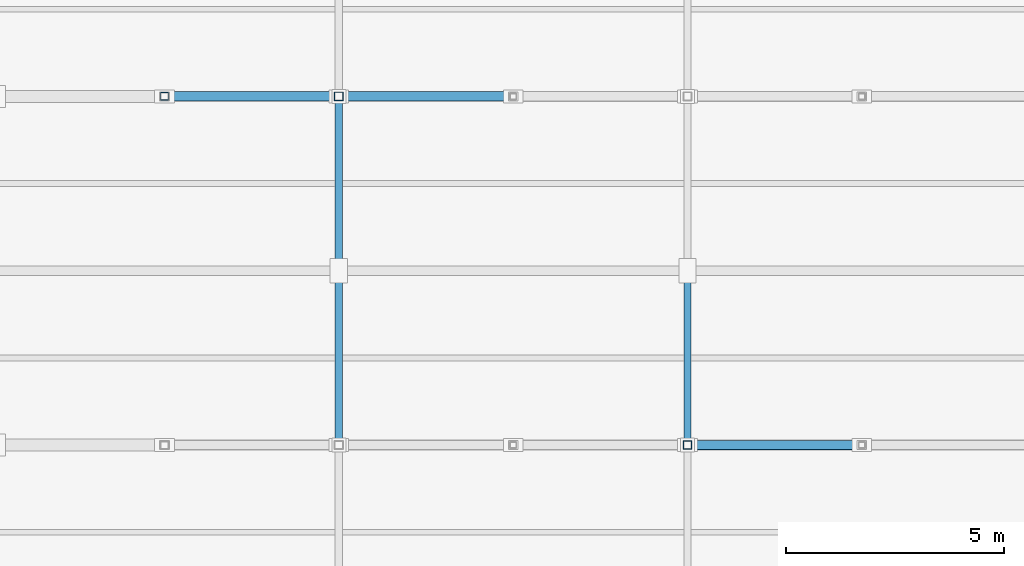
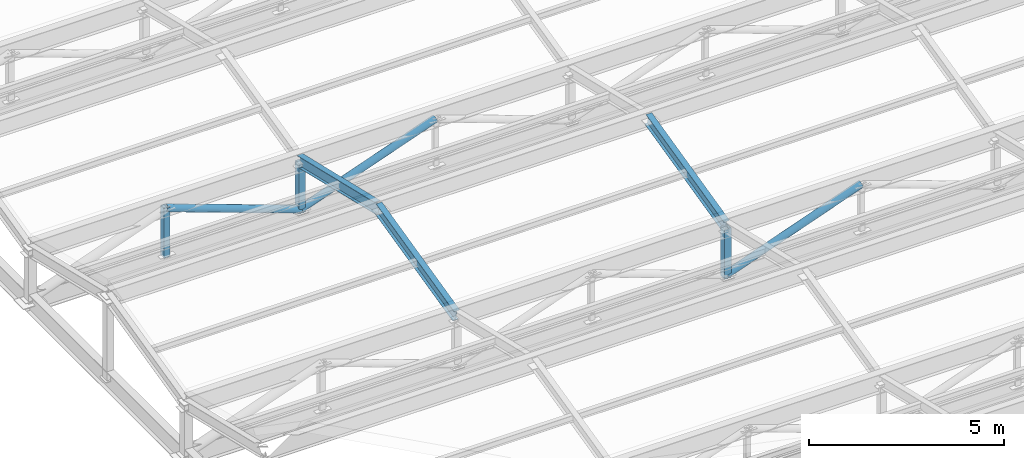
# One storey, part 50 of 112: 9 members.
"""IFC4 building model written with IfcOpenShell, lengths in metres."""

import ifcopenshell
import ifcopenshell.guid

model = None  # the IFC model being written
_history = None  # IfcOwnerHistory: only IFC2X3 demands one
_inside = {}  # id of a spatial element -> (the spatial element, [elements in it])
_under = {}  # id of a project, library or spatial element -> (it, [spatial elements below it])
_declared = {}  # id of a project -> (the project, [libraries it declares])
_typed = {}  # id of a type object -> (the type object, [elements of that type])
_made_of = {}  # id of a material, layer set ... -> (it, [elements and type objects made of it])


def new_model(schema):
    """Start an empty IFC model of exactly this schema.

    Asked for "IFC4X3", IfcOpenShell would pick the latest addendum, in which some entities
    have other attributes; the version numbers below select the first issue.
    IFC2X3 requires an IfcOwnerHistory on every rooted entity: one is made here for all.
    """
    global model, _history
    if schema == "IFC4X3":
        model = ifcopenshell.file(schema_version=(4, 3, 0, 0))
    else:
        model = ifcopenshell.file(schema=schema)
    _inside.clear()
    _under.clear()
    _declared.clear()
    _typed.clear()
    _made_of.clear()
    _history = None
    if model.schema == "IFC2X3":
        org = make("IfcOrganization", Name="unknown")
        user = make(
            "IfcPersonAndOrganization",
            ThePerson=make("IfcPerson", FamilyName="unknown"),
            TheOrganization=org,
        )
        app = make(
            "IfcApplication",
            ApplicationDeveloper=org,
            Version="unknown",
            ApplicationFullName="unknown",
            ApplicationIdentifier="unknown",
        )
        _history = make(
            "IfcOwnerHistory",
            OwningUser=user,
            OwningApplication=app,
            ChangeAction="ADDED",
            CreationDate=0,
        )
    return model


def make(cls, **values):
    """One entity of the class cls with the attributes given. An attribute that is None is left unset."""
    return model.create_entity(
        cls, **{name: value for name, value in values.items() if value is not None}
    )


def rooted(cls, **values):
    """An entity with a GlobalId (a new one), such as an element, a storey or a relation."""
    return make(cls, GlobalId=ifcopenshell.guid.new(), OwnerHistory=_history, **values)


def si_unit(unit_type, name, prefix=None):
    """IfcSIUnit, for example si_unit("LENGTHUNIT", "METRE", prefix="MILLI")."""
    return make("IfcSIUnit", UnitType=unit_type, Prefix=prefix, Name=name)


def assignment(units):
    """IfcUnitAssignment: the units of a project."""
    return None if units is None else make("IfcUnitAssignment", Units=units)


def point(xyz):
    """IfcCartesianPoint."""
    return None if xyz is None else make("IfcCartesianPoint", Coordinates=xyz)


def direction(xyz):
    """IfcDirection."""
    return None if xyz is None else make("IfcDirection", DirectionRatios=xyz)


def frame(location, z_axis=None, x_axis=None):
    """IfcAxis2Placement3D, a coordinate frame: its origin and axes. An axis left out is left unset."""
    return make(
        "IfcAxis2Placement3D",
        Location=point(location),
        Axis=direction(z_axis),
        RefDirection=direction(x_axis),
    )


def frame_2d(location, x_axis=None):
    """IfcAxis2Placement2D, a coordinate frame in the plane: its origin and x axis."""
    return make(
        "IfcAxis2Placement2D", Location=point(location), RefDirection=direction(x_axis)
    )


def origin():
    """The frame at (0, 0, 0) with its axes left unset."""
    return frame((0.0, 0.0, 0.0))


def origin_2d():
    """The frame at (0, 0) in the plane with its x axis left unset."""
    return frame_2d((0.0, 0.0))


def place(relative_to, where):
    """IfcLocalPlacement: puts the frame where relative to a parent placement (None: the world)."""
    return make(
        "IfcLocalPlacement", PlacementRelTo=relative_to, RelativePlacement=where
    )


def context(
    kind, dimensions, precision=None, world=None, true_north=None, identifier=None
):
    """IfcGeometricRepresentationContext, for example the 3D "Model" context."""
    return make(
        "IfcGeometricRepresentationContext",
        ContextIdentifier=identifier,
        ContextType=kind,
        CoordinateSpaceDimension=dimensions,
        Precision=precision,
        WorldCoordinateSystem=world,
        TrueNorth=true_north,
    )


def subcontext(parent, identifier, kind, view, scale=None):
    """IfcGeometricRepresentationSubContext, for example "Body" below "Model"."""
    return make(
        "IfcGeometricRepresentationSubContext",
        ContextIdentifier=identifier,
        ContextType=kind,
        ParentContext=parent,
        TargetScale=scale,
        TargetView=view,
    )


def project(units=None, contexts=None):
    """IfcProject with its units and contexts."""
    return rooted(
        "IfcProject",
        Name="project",
        RepresentationContexts=contexts,
        UnitsInContext=assignment(units),
    )


def spatial(cls, under=None, at=None, **own):
    """A site, building, storey or space (cls), placed at a placement, below another one or the project."""
    s = rooted(cls, ObjectPlacement=at, **own)
    if under is not None:
        _under.setdefault(under.id(), (under, []))[1].append(s)
    return s


def profile(cls, at=None, kind="AREA", **sizes):
    """A parametric profile (cls). Its sizes go by their IFC names, for example OverallWidth=200.0."""
    return make(cls, ProfileType=kind, Position=at, **sizes)


def hollow_rectangle(**sizes):
    """IfcRectangleHollowProfileDef."""
    return profile("IfcRectangleHollowProfileDef", **sizes)


def hollow_circle(**sizes):
    """IfcCircleHollowProfileDef."""
    return profile("IfcCircleHollowProfileDef", **sizes)


def i_section(**sizes):
    """IfcIShapeProfileDef."""
    return profile("IfcIShapeProfileDef", **sizes)


def extrude(swept, where, along, depth):
    """IfcExtrudedAreaSolid: the profile swept, set in the frame where, extruded along a direction by depth."""
    return make(
        "IfcExtrudedAreaSolid",
        SweptArea=swept,
        Position=where,
        ExtrudedDirection=direction(along),
        Depth=depth,
    )


def shape(context_of_items, identifier, shape_type, items):
    """IfcShapeRepresentation: the items that make up one representation, for example the "Body"."""
    return make(
        "IfcShapeRepresentation",
        ContextOfItems=context_of_items,
        RepresentationIdentifier=identifier,
        RepresentationType=shape_type,
        Items=items,
    )


def material(Name=None, Category=None):
    """IfcMaterial."""
    return make("IfcMaterial", Name=Name, Category=Category)


def material_profile(
    of_material, cross_section, Name=None, Category=None, Priority=None
):
    """IfcMaterialProfile: a cross section and its material."""
    return make(
        "IfcMaterialProfile",
        Name=Name,
        Material=of_material,
        Profile=cross_section,
        Priority=Priority,
        Category=Category,
    )


def profile_set(profiles, Name=None, composite=None):
    """IfcMaterialProfileSet."""
    return make(
        "IfcMaterialProfileSet",
        Name=Name,
        MaterialProfiles=profiles,
        CompositeProfile=composite,
    )


def made_of(thing, what):
    """Note that an element or type object is made of a material, layer set ...; save() writes the relation."""
    if what is not None:
        _made_of.setdefault(what.id(), (what, []))[1].append(thing)
    return thing


def type_object(cls, material=None, **own):
    """A type object (cls), such as IfcWallType, which elements share."""
    return made_of(rooted(cls, **own), material)


def element(
    cls,
    number,
    at=None,
    inside=None,
    cuts=None,
    type_object=None,
    material=None,
    context=None,
    identifier="Body",
    shape_type=None,
    held_by="IfcProductDefinitionShape",
    body=None,
    shapes=None,
    **own,
):
    """One element of the class cls, such as IfcWall. Its Tag is "e" and its number.

    at: its placement. inside: the storey or other place that contains it. cuts: it is an
    opening in that element (IfcRelVoidsElement). A single representation is given by context,
    identifier, shape_type and body (its items); several are given by shapes. held_by: the class
    of the entity that holds the representations. save() writes the other relations.
    """
    e = rooted(cls, Tag="e%d" % number, ObjectPlacement=at, **own)
    if body is not None:
        shapes = [shape(context, identifier, shape_type, body)]
    if shapes is not None:
        e.Representation = make(held_by, Representations=shapes)
    if inside is not None:
        _inside.setdefault(inside.id(), (inside, []))[1].append(e)
    if cuts is not None:
        rooted(
            "IfcRelVoidsElement", RelatingBuildingElement=cuts, RelatedOpeningElement=e
        )
    if type_object is not None:
        _typed.setdefault(type_object.id(), (type_object, []))[1].append(e)
    return made_of(e, material)


def aggregate(whole, parts):
    """IfcRelAggregates: a whole, such as a stair, and the parts it consists of."""
    return rooted("IfcRelAggregates", RelatingObject=whole, RelatedObjects=parts)


def save(model, path):
    """Write the relations noted so far, then the file.

    IfcRelAggregates (storeys below a building ...), IfcRelContainedInSpatialStructure (elements
    in a storey), IfcRelDefinesByType, IfcRelAssociatesMaterial and IfcRelDeclares: one each for
    every whole, place, type object, material and project.
    """
    for whole, parts in _under.values():
        aggregate(whole, parts)
    for where, things in _inside.values():
        rooted(
            "IfcRelContainedInSpatialStructure",
            RelatedElements=things,
            RelatingStructure=where,
        )
    for kind, things in _typed.values():
        rooted("IfcRelDefinesByType", RelatedObjects=things, RelatingType=kind)
    for what, things in _made_of.values():
        rooted("IfcRelAssociatesMaterial", RelatedObjects=things, RelatingMaterial=what)
    for by, libraries in _declared.values():
        rooted("IfcRelDeclares", RelatingContext=by, RelatedDefinitions=libraries)
    model.write(path)


model = new_model("IFC4")

# Units and contexts
model_context = context("Model", 3, precision=1e-05, world=origin(), true_north=direction((0.0, 1.0)))
body_context = subcontext(model_context, "Body", "Model", "MODEL_VIEW")
ifc_project = project(units=[si_unit("LENGTHUNIT", "METRE"), si_unit("AREAUNIT", "SQUARE_METRE"), si_unit("VOLUMEUNIT", "CUBIC_METRE"), si_unit("PLANEANGLEUNIT", "RADIAN"), si_unit("MASSUNIT", "GRAM", prefix="KILO")], contexts=[model_context])

# Site, building, storey
site_placement = place(None, origin())
site = spatial("IfcSite", under=ifc_project, at=site_placement, CompositionType="ELEMENT")
building_placement = place(site_placement, origin())
building = spatial("IfcBuilding", under=site, at=building_placement, Name="Celadon Cloister-Ring School", CompositionType="ELEMENT")
storey_placement = place(building_placement, frame((0.0, 0.0, 8.5)))
storey = spatial("IfcBuildingStorey", under=building, at=storey_placement, Name="L02", CompositionType="ELEMENT", Elevation=8.5)

# Members
ifc_material_1 = material(Name="Structural steel S355JR", Category="steel")
ifc_material_profile_1 = material_profile(ifc_material_1, hollow_rectangle(XDim=0.199951171875, YDim=0.199951171875, WallThickness=0.010009765625, at=origin_2d()), Name="HSS200X200X10")
ifc_profile_set_1 = profile_set([ifc_material_profile_1], Name="Structural steel S355JR")
member_type_1 = type_object("IfcMemberType", Name="MB-03", PredefinedType="BRACE", material=ifc_profile_set_1)
for number, where, z_axis, x_axis, name in (
    (1, (158.0, 90.0, 0.919921875), (0.0, 0.0, 1.0), (1.0, 0.0, 0.0), "Structural Member 0439"),
    (2, (150.0, 98.0, 0.919921875), (0.0, 0.0, 1.0), (1.0, 0.0, 0.0), "Structural Member 0456"),
):
    element("IfcMember", number, at=place(storey_placement, frame(where, z_axis=z_axis, x_axis=x_axis)), inside=storey, type_object=member_type_1, Name=name, PredefinedType="BRACE", context=body_context, shape_type="SweptSolid", body=[
        extrude(hollow_rectangle(XDim=0.199951171875, YDim=0.199951171875, WallThickness=0.010009765625, at=origin_2d()), origin(), (0.0, 0.0, 1.0), 1.56005859375),
    ])
ifc_material_2 = material(Name="Structural steel S355JR", Category="steel")
ifc_material_profile_2 = material_profile(ifc_material_2, hollow_rectangle(XDim=0.179931640625, YDim=0.179931640625, WallThickness=0.008056640625, at=origin_2d()), Name="HSS180X180X8")
ifc_profile_set_2 = profile_set([ifc_material_profile_2], Name="Structural steel S355JR")
member_type_2 = type_object("IfcMemberType", Name="MB-04", PredefinedType="BRACE", material=ifc_profile_set_2)
member_placement = place(storey_placement, frame((146.0, 98.0, 0.919921875), z_axis=(0.0, 0.0, 1.0), x_axis=(1.0, 0.0, 0.0)))
element("IfcMember", 3, at=member_placement, inside=storey, type_object=member_type_2, Name="Structural Member 0454", PredefinedType="BRACE", context=body_context, shape_type="SweptSolid", body=[
    extrude(hollow_rectangle(XDim=0.179931640625, YDim=0.179931640625, WallThickness=0.008056640625, at=origin_2d()), origin(), (0.0, 0.0, 1.0), 1.56005859375),
])
ifc_material_3 = material(Name="Structural steel S355JR", Category="steel")
ifc_material_profile_3 = material_profile(ifc_material_3, hollow_circle(Radius=0.109619140625, WallThickness=0.010009765625, at=origin_2d()), Name="CHS219.1X10")
ifc_profile_set_3 = profile_set([ifc_material_profile_3], Name="Structural steel S355JR")
member_type_3 = type_object("IfcMemberType", Name="MB-08", PredefinedType="BRACE", material=ifc_profile_set_3)
for number, where, z_axis, x_axis, name in (
    (4, (158.0, 90.0, 0.97998046875), (0.94089180426, 0.0, 0.338707266939), (0.0, 1.0, 0.0), "Structural Member 0446"),
    (5, (146.0, 98.0, 2.419921875), (0.94089180426, 0.0, -0.338707266939), (0.0, 1.0, 0.0), "Structural Member 0462"),
    (6, (150.0, 98.0, 0.97998046875), (0.94089180426, 0.0, 0.338707266939), (0.0, 1.0, 0.0), "Structural Member 0463"),
):
    element("IfcMember", number, at=place(storey_placement, frame(where, z_axis=z_axis, x_axis=x_axis)), inside=storey, type_object=member_type_3, Name=name, PredefinedType="BRACE", context=body_context, shape_type="SweptSolid", body=[
        extrude(hollow_circle(Radius=0.109619140625, WallThickness=0.010009765625, at=origin_2d()), origin(), (0.0, 0.0, 1.0), 4.251220703125),
    ])
ifc_material_4 = material(Name="Structural steel S355JR", Category="steel")
ifc_material_profile_4 = material_profile(ifc_material_4, i_section(OverallWidth=0.1708984375, OverallDepth=0.35498046875, WebThickness=0.007080078125, FlangeThickness=0.01171875, at=origin_2d()), Name="W360X51")
ifc_profile_set_4 = profile_set([ifc_material_profile_4], Name="Structural steel S355JR")
member_type_4 = type_object("IfcMemberType", Name="MR-05", PredefinedType="RAFTER", material=ifc_profile_set_4)
for number, where, z_axis, x_axis, name in (
    (7, (150.0, 90.0, 2.5), (0.0, 0.97293922076, 0.231061188231), (-1.0, 0.0, 0.0), "Structural Member 0542"),
    (8, (150.0, 94.0, 3.449951171875), (0.0, 0.97293922076, -0.231061188231), (-1.0, 0.0, 0.0), "Structural Member 0543"),
    (9, (158.0, 90.0, 2.5), (0.0, 0.97293922076, 0.231061188231), (-1.0, 0.0, 0.0), "Structural Member 0544"),
):
    element("IfcMember", number, at=place(storey_placement, frame(where, z_axis=z_axis, x_axis=x_axis)), inside=storey, type_object=member_type_4, Name=name, PredefinedType="RAFTER", context=body_context, shape_type="SweptSolid", body=[
        extrude(i_section(OverallWidth=0.1708984375, OverallDepth=0.35498046875, WebThickness=0.007080078125, FlangeThickness=0.01171875, at=origin_2d()), origin(), (0.0, 0.0, 1.0), 4.111328125),
    ])

save(model, "model.ifc")
